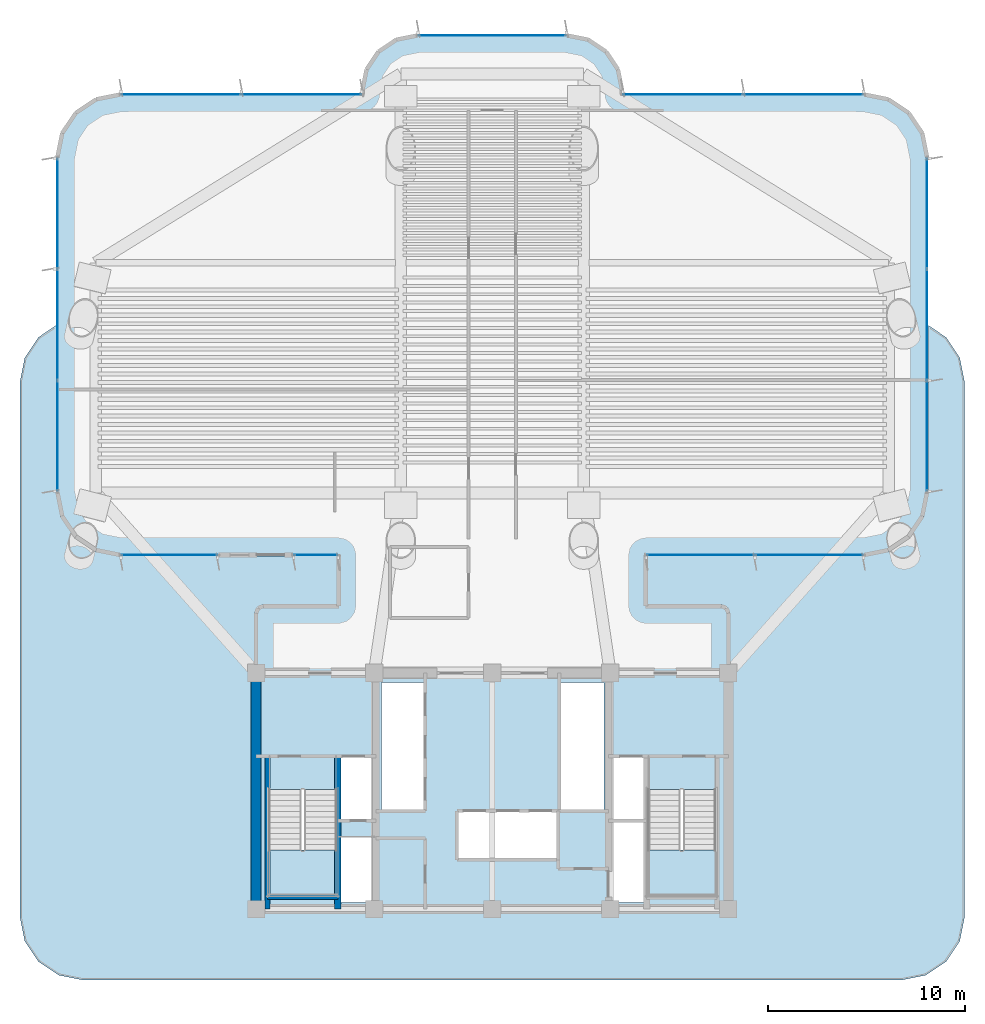
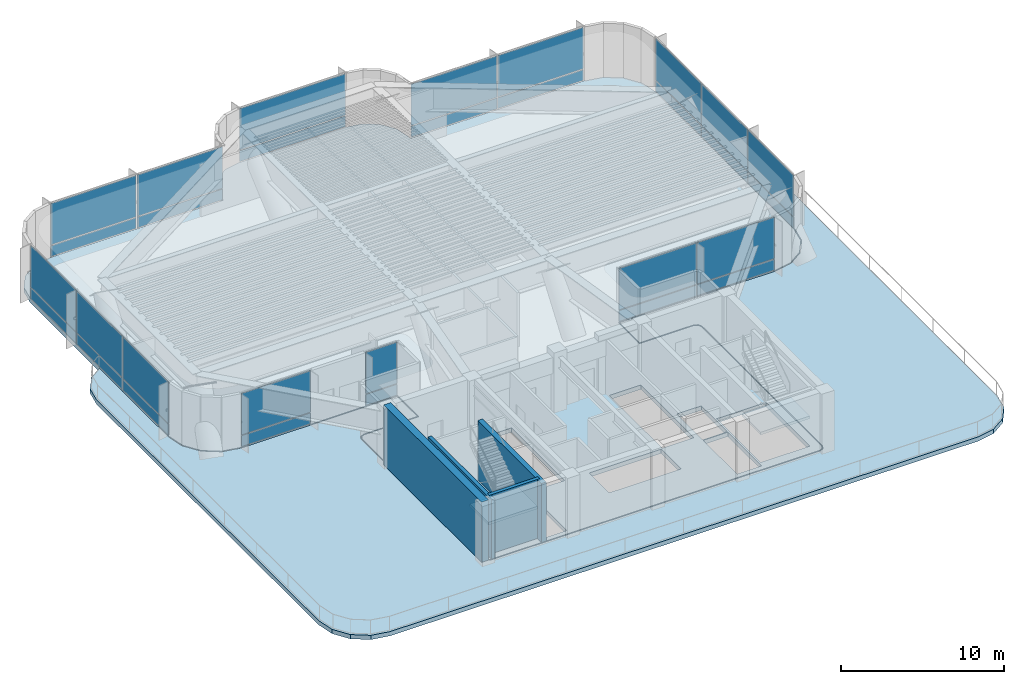
# One storey, part 7 of 14: 30 plates, 4 slabs, 4 walls, 10 elements without a shape of their own.
"""IFC4 building model written with IfcOpenShell, lengths in metres."""

from ifc_helpers import new_model, si_unit, direction, frame, frame_2d, origin, origin_2d, place, context, subcontext, project, spatial, polyline, rectangle, outline, extrude, source, transform, mapped, material, layer, layer_set, type_object, element, aggregate, save


model = new_model("IFC4")

# Units and contexts
model_context = context("Model", 3, precision=1e-05, world=origin(), true_north=direction((0.0, 1.0)))
body_context = subcontext(model_context, "Body", "Model", "MODEL_VIEW")
ifc_project = project(units=[si_unit("LENGTHUNIT", "METRE"), si_unit("AREAUNIT", "SQUARE_METRE"), si_unit("VOLUMEUNIT", "CUBIC_METRE"), si_unit("PLANEANGLEUNIT", "RADIAN"), si_unit("MASSUNIT", "GRAM", prefix="KILO")], contexts=[model_context])

# Site, building, storey
site_placement = place(None, origin())
site = spatial("IfcSite", under=ifc_project, at=site_placement, CompositionType="ELEMENT")
building_placement = place(site_placement, origin())
building = spatial("IfcBuilding", under=site, at=building_placement, Name="Brelvock Crest Care Tower", CompositionType="ELEMENT")
storey_placement = place(building_placement, frame((0.0, 0.0, 85.320068359375)))
storey = spatial("IfcBuildingStorey", under=building, at=storey_placement, Name="L21", CompositionType="ELEMENT", Elevation=85.320068359375)

# Slabs
ifc_material_1 = material(Name="Concrete N50 (50 MPa)", Category="concrete")
ifc_layer_1 = layer(ifc_material_1, 0.320068359375, Name="SLB-FL1")
ifc_layer_set_1 = layer_set([ifc_layer_1], Name="Concrete N50 (50 MPa)")
slab_type_1 = type_object("IfcSlabType", Name="SLB-FL1", PredefinedType="FLOOR", material=ifc_layer_set_1)
slab_1_placement = place(storey_placement, frame((0.0, 0.0, -0.320068359375)))
element("IfcSlab", 1, at=slab_1_placement, inside=storey, type_object=slab_type_1, Name="L21 Main Structural Slab", PredefinedType="FLOOR", context=body_context, shape_type="SweptSolid", body=[
    extrude(outline(polyline([(47.64990234375, 21.39990234375), (43.800048828125, 21.39990234375), (43.800048828125, 24.0), (54.89990234375, 24.0), (56.12451171875, 24.24365234375), (57.16259765625, 24.937255859375), (57.8564453125, 25.975341796875), (58.10009765625, 27.199951171875), (58.10009765625, 44.199951171875), (57.8564453125, 45.424560546875), (57.16259765625, 46.462646484375), (56.12451171875, 47.156494140625), (54.89990234375, 47.39990234375), (42.60009765625, 47.39990234375), (42.60009765625, 47.60009765625), (42.386962890625, 48.67138671875), (41.77978515625, 49.579833984375), (40.87158203125, 50.18701171875), (39.800048828125, 50.39990234375), (32.199951171875, 50.39990234375), (31.12841796875, 50.18701171875), (30.22021484375, 49.579833984375), (29.613037109375, 48.67138671875), (29.39990234375, 47.60009765625), (29.39990234375, 47.39990234375), (17.10009765625, 47.39990234375), (15.87548828125, 47.156494140625), (14.83740234375, 46.462646484375), (14.1435546875, 45.424560546875), (13.89990234375, 44.199951171875), (13.89990234375, 27.199951171875), (14.1435546875, 25.975341796875), (14.83740234375, 24.937255859375), (15.87548828125, 24.24365234375), (17.10009765625, 24.0), (28.199951171875, 24.0), (28.199951171875, 21.39990234375), (24.35009765625, 21.39990234375), (24.1025390625, 21.297607421875), (24.0, 21.050048828125), (24.0, 6.35009765625), (24.1025390625, 6.1025390625), (24.35009765625, 6.0), (47.64990234375, 6.0), (47.8974609375, 6.1025390625), (48.0, 6.35009765625), (48.0, 21.050048828125), (47.8974609375, 21.297607421875), (47.64990234375, 21.39990234375)]), holes=[polyline([(28.239990234375, 10.580078125), (29.97998046875, 10.580078125), (29.97998046875, 13.739990234375), (28.239990234375, 13.739990234375), (28.239990234375, 10.580078125)]), polyline([(42.02001953125, 10.580078125), (43.760009765625, 10.580078125), (43.760009765625, 13.739990234375), (42.02001953125, 13.739990234375), (42.02001953125, 10.580078125)]), polyline([(28.239990234375, 6.340087890625), (29.97998046875, 6.340087890625), (29.97998046875, 9.64990234375), (28.239990234375, 9.64990234375), (28.239990234375, 6.340087890625)]), polyline([(24.6298828125, 12.080078125), (24.6298828125, 6.699951171875), (28.110107421875, 6.699951171875), (28.110107421875, 12.080078125), (24.6298828125, 12.080078125)]), polyline([(43.889892578125, 12.080078125), (43.889892578125, 6.699951171875), (47.3701171875, 6.699951171875), (47.3701171875, 12.080078125), (43.889892578125, 12.080078125)]), polyline([(42.02001953125, 6.340087890625), (43.760009765625, 6.340087890625), (43.760009765625, 10.5), (42.02001953125, 10.5), (42.02001953125, 6.340087890625)]), polyline([(30.3798828125, 11.030029296875), (32.52001953125, 11.030029296875), (32.52001953125, 17.52001953125), (30.3798828125, 17.52001953125), (30.3798828125, 11.030029296875)]), polyline([(34.22998046875, 8.530029296875), (39.320068359375, 8.530029296875), (39.320068359375, 10.969970703125), (34.22998046875, 10.969970703125), (34.22998046875, 8.530029296875)]), polyline([(39.429931640625, 11.030029296875), (41.669921875, 11.030029296875), (41.669921875, 17.52001953125), (39.429931640625, 17.52001953125), (39.429931640625, 11.030029296875)])]), origin(), (0.0, 0.0, 1.0), 0.320068359375),
])
ifc_layer_2 = layer(ifc_material_1, 0.320068359375, Name="SLB-TD2")
ifc_layer_set_2 = layer_set([ifc_layer_2], Name="Concrete N50 (50 MPa)")
slab_type_2 = type_object("IfcSlabType", Name="SLB-TD2", PredefinedType="FLOOR", material=ifc_layer_set_2)
slab_2_placement = place(storey_placement, frame((0.0, 0.0, -0.320068359375)))
element("IfcSlab", 2, at=slab_2_placement, inside=storey, type_object=slab_type_2, Name="L21 Landscaped Setback Terrace 1", PredefinedType="FLOOR", context=body_context, shape_type="SweptSolid", body=[
    extrude(outline(polyline([(58.159912109375, 35.666015625), (58.15966796875, 27.194091796875), (57.911865234375, 25.952392578125), (57.196044921875, 24.887451171875), (56.147705078125, 24.188232421875), (54.906005859375, 23.940185546875), (43.860107421875, 23.93994140625), (43.860107421875, 21.4599609375), (47.656005859375, 21.459716796875), (47.93994140625, 21.33984375), (48.058837890625, 21.061767578125), (48.06005859375, 6.35009765625), (47.935546875, 6.05615234375), (47.64990234375, 5.93994140625), (24.35009765625, 5.93994140625), (24.06005859375, 6.06005859375), (23.93994140625, 6.35009765625), (23.941162109375, 21.061767578125), (24.06005859375, 21.33984375), (24.343994140625, 21.459716796875), (28.139892578125, 21.4599609375), (28.139892578125, 23.93994140625), (17.093994140625, 23.940185546875), (15.852294921875, 24.188232421875), (14.803955078125, 24.887451171875), (14.088134765625, 25.952392578125), (13.84033203125, 27.194091796875), (13.840087890625, 35.666015625), (12.937255859375, 35.062744140625), (12.24365234375, 34.024658203125), (12.0, 32.800048828125), (12.0, 5.60009765625), (12.24365234375, 4.37548828125), (12.937255859375, 3.33740234375), (13.975341796875, 2.6435546875), (15.199951171875, 2.39990234375), (56.800048828125, 2.39990234375), (58.024658203125, 2.6435546875), (59.062744140625, 3.33740234375), (59.75634765625, 4.37548828125), (60.0, 5.60009765625), (60.0, 32.800048828125), (59.75634765625, 34.024658203125), (59.062744140625, 35.062744140625), (58.159912109375, 35.666015625)])), origin(), (0.0, 0.0, 1.0), 0.320068359375),
])

# Stair, slab
ifc_material_2 = material(Name="Concrete N40 (40 MPa)", Category="concrete")
stair_type = type_object("IfcStairType", Name="ST-CORE1", PredefinedType="HALF_TURN_STAIR", material=ifc_material_2)
stair_1_placement = place(storey_placement, origin())
stair_1 = element("IfcStair", 3, at=stair_1_placement, inside=storey, type_object=stair_type, Name="L21 Fire-Isolated Core Stair ST-1", PredefinedType="HALF_TURN_STAIR")
ifc_layer_3 = layer(ifc_material_2, 0.199951171875, Name="STL-1")
ifc_layer_set_3 = layer_set([ifc_layer_3], Name="Concrete N40 (40 MPa)")
slab_type_3 = type_object("IfcSlabType", Name="STL-1", PredefinedType="LANDING", material=ifc_layer_set_3)
slab_3_placement = place(storey_placement, frame((0.0, 0.0, 2.050048828125)))
slab_3 = element("IfcSlab", 4, at=slab_3_placement, type_object=slab_type_3, Name="ST-1 landing 1", PredefinedType="LANDING", context=body_context, shape_type="SweptSolid", body=[
    extrude(outline(polyline([(24.6298828125, 9.0), (24.6298828125, 6.699951171875), (28.110107421875, 6.699951171875), (28.110107421875, 9.0), (24.6298828125, 9.0)])), origin(), (0.0, 0.0, 1.0), 0.199951171875),
])
aggregate(stair_1, [slab_3])

stair_2_placement = place(storey_placement, origin())
stair_2 = element("IfcStair", 5, at=stair_2_placement, inside=storey, type_object=stair_type, Name="L21 Fire-Isolated Core Stair ST-2", PredefinedType="HALF_TURN_STAIR")
slab_4_placement = place(storey_placement, frame((0.0, 0.0, 2.050048828125)))
slab_4 = element("IfcSlab", 6, at=slab_4_placement, type_object=slab_type_3, Name="ST-2 landing 1", PredefinedType="LANDING", context=body_context, shape_type="SweptSolid", body=[
    extrude(outline(polyline([(43.889892578125, 9.0), (43.889892578125, 6.699951171875), (47.3701171875, 6.699951171875), (47.3701171875, 9.0), (43.889892578125, 9.0)])), origin(), (0.0, 0.0, 1.0), 0.199951171875),
])
aggregate(stair_2, [slab_4])

# Curtain wall, plates
ifc_material_3 = material(Name="Dark Glass Double Glazed Low-E", Category="glass")
ifc_layer_4 = layer(ifc_material_3, 0.2548828125, Name="CWS-6")
ifc_layer_set_4 = layer_set([ifc_layer_4], Name="Dark Glass Double Glazed Low-E")
curtain_wall_type = type_object("IfcCurtainWallType", Name="CWS-6", PredefinedType="NOTDEFINED", material=ifc_layer_set_4)
curtain_wall_1_placement = place(storey_placement, origin())
curtain_wall_1 = element("IfcCurtainWall", 7, at=curtain_wall_1_placement, inside=storey, type_object=curtain_wall_type, Name="L21 Curtain Wall E12A", PredefinedType="NOTDEFINED")
ifc_material_4 = material(Name="Dark Glass Shadow-Box Spandrel", Category="glass")
ifc_layer_5 = layer(ifc_material_4, 0.048095703125, Name="CWP-SP1")
ifc_layer_set_5 = layer_set([ifc_layer_5], Name="Dark Glass Shadow-Box Spandrel")
plate_type_1 = type_object("IfcPlateType", Name="CWP-SP1", PredefinedType="SHEET", material=ifc_layer_set_5)
shared_shape_1 = source(origin(), body_context, "Body", "SweptSolid", [
    extrude(rectangle(XDim=2.18798828125, YDim=0.035888671875, at=origin_2d()), origin(), (0.0, 0.0, 1.0), 0.802490234375),
])
plate_1_placement = place(storey_placement, frame((27.041015625, 24.0, 0.06494140625), z_axis=(0.0, 0.0, 1.0), x_axis=(-1.0, 0.0, 0.0)))
plate_1 = element("IfcPlate", 8, at=plate_1_placement, type_object=plate_type_1, Name="CW-6 panel 1.1", PredefinedType="SHEET", context=body_context, shape_type="MappedRepresentation", body=[
    mapped(shared_shape_1, transform((0.0, 0.0, 0.0), x_axis=(1.0, 0.0, 0.0), y_axis=(0.0, 1.0, 0.0), z_axis=(0.0, 0.0, 1.0), scale=1.0)),
])
ifc_layer_6 = layer(ifc_material_3, 0.0380859375, Name="CWP-V2")
ifc_layer_set_6 = layer_set([ifc_layer_6], Name="Dark Glass Double Glazed Low-E")
plate_type_2 = type_object("IfcPlateType", Name="CWP-V2", PredefinedType="CURTAIN_PANEL", material=ifc_layer_set_6)
shared_shape_2 = source(origin(), body_context, "Body", "SweptSolid", [
    extrude(rectangle(XDim=2.18798828125, YDim=0.035888671875, at=origin_2d()), origin(), (0.0, 0.0, 1.0), 3.094482421875),
])
plate_2_placement = place(storey_placement, frame((27.041015625, 24.0, 0.9326171875), z_axis=(0.0, 0.0, 1.0), x_axis=(-1.0, 0.0, 0.0)))
plate_2 = element("IfcPlate", 9, at=plate_2_placement, type_object=plate_type_2, Name="CW-6 panel 1.2", PredefinedType="CURTAIN_PANEL", context=body_context, shape_type="MappedRepresentation", body=[
    mapped(shared_shape_2, transform((0.0, 0.0, 0.0), x_axis=(1.0, 0.0, 0.0), y_axis=(0.0, 1.0, 0.0), z_axis=(0.0, 0.0, 1.0), scale=1.0)),
])
aggregate(curtain_wall_1, [plate_1, plate_2])

curtain_wall_2_placement = place(storey_placement, origin())
curtain_wall_2 = element("IfcCurtainWall", 10, at=curtain_wall_2_placement, inside=storey, type_object=curtain_wall_type, Name="L21 Curtain Wall E12B", PredefinedType="NOTDEFINED")
shared_shape_3 = source(origin(), body_context, "Body", "SweptSolid", [
    extrude(rectangle(XDim=4.85205078125, YDim=0.035888671875, at=origin_2d()), origin(), (0.0, 0.0, 1.0), 0.802490234375),
])
plate_3_placement = place(storey_placement, frame((19.591064453125, 24.0, 0.06494140625), z_axis=(0.0, 0.0, 1.0), x_axis=(-1.0, 0.0, 0.0)))
plate_3 = element("IfcPlate", 11, at=plate_3_placement, type_object=plate_type_1, Name="CW-6 panel 1.1", PredefinedType="SHEET", context=body_context, shape_type="MappedRepresentation", body=[
    mapped(shared_shape_3, transform((0.0, 0.0, 0.0), x_axis=(1.0, 0.0, 0.0), y_axis=(0.0, 1.0, 0.0), z_axis=(0.0, 0.0, 1.0), scale=1.0)),
])
shared_shape_4 = source(origin(), body_context, "Body", "SweptSolid", [
    extrude(rectangle(XDim=4.85205078125, YDim=0.035888671875, at=origin_2d()), origin(), (0.0, 0.0, 1.0), 3.094482421875),
])
plate_4_placement = place(storey_placement, frame((19.591064453125, 24.0, 0.9326171875), z_axis=(0.0, 0.0, 1.0), x_axis=(-1.0, 0.0, 0.0)))
plate_4 = element("IfcPlate", 12, at=plate_4_placement, type_object=plate_type_2, Name="CW-6 panel 1.2", PredefinedType="CURTAIN_PANEL", context=body_context, shape_type="MappedRepresentation", body=[
    mapped(shared_shape_4, transform((0.0, 0.0, 0.0), x_axis=(1.0, 0.0, 0.0), y_axis=(0.0, 1.0, 0.0), z_axis=(0.0, 0.0, 1.0), scale=1.0)),
])
aggregate(curtain_wall_2, [plate_3, plate_4])

curtain_wall_3_placement = place(storey_placement, origin())
curtain_wall_3 = element("IfcCurtainWall", 13, at=curtain_wall_3_placement, inside=storey, type_object=curtain_wall_type, Name="L21 Curtain Wall E17", PredefinedType="NOTDEFINED")
shared_shape_5 = source(origin(), body_context, "Body", "SweptSolid", [
    extrude(rectangle(XDim=5.569091796875, YDim=0.035888671875, at=origin_2d()), origin(), (0.0, 0.0, 1.0), 0.802490234375),
])
plate_5_placement = place(storey_placement, frame((13.89990234375, 30.049560546875, 0.06494140625), z_axis=(0.0, 0.0, 1.0), x_axis=(0.0, 1.0, 0.0)))
plate_5 = element("IfcPlate", 14, at=plate_5_placement, type_object=plate_type_1, Name="CW-6 panel 1.1", PredefinedType="SHEET", context=body_context, shape_type="MappedRepresentation", body=[
    mapped(shared_shape_5, transform((0.0, 0.0, 0.0), x_axis=(1.0, 0.0, 0.0), y_axis=(0.0, 1.0, 0.0), z_axis=(0.0, 0.0, 1.0), scale=1.0)),
])
plate_6_placement = place(storey_placement, frame((13.89990234375, 41.350341796875, 0.06494140625), z_axis=(0.0, 0.0, 1.0), x_axis=(0.0, 1.0, 0.0)))
plate_6 = element("IfcPlate", 15, at=plate_6_placement, type_object=plate_type_1, Name="CW-6 panel 3.1", PredefinedType="SHEET", context=body_context, shape_type="MappedRepresentation", body=[
    mapped(shared_shape_5, transform((0.0, 0.0, 0.0), x_axis=(1.0, 0.0, 0.0), y_axis=(0.0, 1.0, 0.0), z_axis=(0.0, 0.0, 1.0), scale=1.0)),
])

curtain_wall_4_placement = place(storey_placement, origin())
curtain_wall_4 = element("IfcCurtainWall", 16, at=curtain_wall_4_placement, inside=storey, type_object=curtain_wall_type, Name="L21 Curtain Wall E39", PredefinedType="NOTDEFINED")
plate_7_placement = place(storey_placement, frame((58.10009765625, 41.350341796875, 0.06494140625), z_axis=(0.0, 0.0, 1.0), x_axis=(0.0, -1.0, 0.0)))
plate_7 = element("IfcPlate", 17, at=plate_7_placement, type_object=plate_type_1, Name="CW-6 panel 1.1", PredefinedType="SHEET", context=body_context, shape_type="MappedRepresentation", body=[
    mapped(shared_shape_5, transform((0.0, 0.0, 0.0), x_axis=(1.0, 0.0, 0.0), y_axis=(0.0, 1.0, 0.0), z_axis=(0.0, 0.0, 1.0), scale=1.0)),
])
plate_8_placement = place(storey_placement, frame((58.10009765625, 30.049560546875, 0.06494140625), z_axis=(0.0, 0.0, 1.0), x_axis=(0.0, -1.0, 0.0)))
plate_8 = element("IfcPlate", 18, at=plate_8_placement, type_object=plate_type_1, Name="CW-6 panel 3.1", PredefinedType="SHEET", context=body_context, shape_type="MappedRepresentation", body=[
    mapped(shared_shape_5, transform((0.0, 0.0, 0.0), x_axis=(1.0, 0.0, 0.0), y_axis=(0.0, 1.0, 0.0), z_axis=(0.0, 0.0, 1.0), scale=1.0)),
])

# Plate
shared_shape_6 = source(origin(), body_context, "Body", "SweptSolid", [
    extrude(rectangle(XDim=5.569091796875, YDim=0.035888671875, at=origin_2d()), origin(), (0.0, 0.0, 1.0), 3.094482421875),
])
plate_9_placement = place(storey_placement, frame((13.89990234375, 30.049560546875, 0.9326171875), z_axis=(0.0, 0.0, 1.0), x_axis=(0.0, 1.0, 0.0)))
plate_9 = element("IfcPlate", 19, at=plate_9_placement, type_object=plate_type_2, Name="CW-6 panel 1.2", PredefinedType="CURTAIN_PANEL", context=body_context, shape_type="MappedRepresentation", body=[
    mapped(shared_shape_6, transform((0.0, 0.0, 0.0), x_axis=(1.0, 0.0, 0.0), y_axis=(0.0, 1.0, 0.0), z_axis=(0.0, 0.0, 1.0), scale=1.0)),
])

plate_10_placement = place(storey_placement, frame((13.89990234375, 41.350341796875, 0.9326171875), z_axis=(0.0, 0.0, 1.0), x_axis=(0.0, 1.0, 0.0)))
plate_10 = element("IfcPlate", 20, at=plate_10_placement, type_object=plate_type_2, Name="CW-6 panel 3.2", PredefinedType="CURTAIN_PANEL", context=body_context, shape_type="MappedRepresentation", body=[
    mapped(shared_shape_6, transform((0.0, 0.0, 0.0), x_axis=(1.0, 0.0, 0.0), y_axis=(0.0, 1.0, 0.0), z_axis=(0.0, 0.0, 1.0), scale=1.0)),
])

plate_11_placement = place(storey_placement, frame((58.10009765625, 41.350341796875, 0.9326171875), z_axis=(0.0, 0.0, 1.0), x_axis=(0.0, -1.0, 0.0)))
plate_11 = element("IfcPlate", 21, at=plate_11_placement, type_object=plate_type_2, Name="CW-6 panel 1.2", PredefinedType="CURTAIN_PANEL", context=body_context, shape_type="MappedRepresentation", body=[
    mapped(shared_shape_6, transform((0.0, 0.0, 0.0), x_axis=(1.0, 0.0, 0.0), y_axis=(0.0, 1.0, 0.0), z_axis=(0.0, 0.0, 1.0), scale=1.0)),
])

plate_12_placement = place(storey_placement, frame((58.10009765625, 30.049560546875, 0.9326171875), z_axis=(0.0, 0.0, 1.0), x_axis=(0.0, -1.0, 0.0)))
plate_12 = element("IfcPlate", 22, at=plate_12_placement, type_object=plate_type_2, Name="CW-6 panel 3.2", PredefinedType="CURTAIN_PANEL", context=body_context, shape_type="MappedRepresentation", body=[
    mapped(shared_shape_6, transform((0.0, 0.0, 0.0), x_axis=(1.0, 0.0, 0.0), y_axis=(0.0, 1.0, 0.0), z_axis=(0.0, 0.0, 1.0), scale=1.0)),
])

shared_shape_7 = source(origin(), body_context, "Body", "SweptSolid", [
    extrude(rectangle(XDim=5.6015625, YDim=0.035888671875, at=origin_2d()), origin(), (0.0, 0.0, 1.0), 0.802490234375),
])
plate_13_placement = place(storey_placement, frame((13.89990234375, 35.699951171875, 0.06494140625), z_axis=(0.0, 0.0, 1.0), x_axis=(0.0, 1.0, 0.0)))
plate_13 = element("IfcPlate", 23, at=plate_13_placement, type_object=plate_type_1, Name="CW-6 panel 2.1", PredefinedType="SHEET", context=body_context, shape_type="MappedRepresentation", body=[
    mapped(shared_shape_7, transform((0.0, 0.0, 0.0), x_axis=(1.0, 0.0, 0.0), y_axis=(0.0, 1.0, 0.0), z_axis=(0.0, 0.0, 1.0), scale=1.0)),
])

plate_14_placement = place(storey_placement, frame((58.10009765625, 35.699951171875, 0.06494140625), z_axis=(0.0, 0.0, 1.0), x_axis=(0.0, -1.0, 0.0)))
plate_14 = element("IfcPlate", 24, at=plate_14_placement, type_object=plate_type_1, Name="CW-6 panel 2.1", PredefinedType="SHEET", context=body_context, shape_type="MappedRepresentation", body=[
    mapped(shared_shape_7, transform((0.0, 0.0, 0.0), x_axis=(1.0, 0.0, 0.0), y_axis=(0.0, 1.0, 0.0), z_axis=(0.0, 0.0, 1.0), scale=1.0)),
])

shared_shape_8 = source(origin(), body_context, "Body", "SweptSolid", [
    extrude(rectangle(XDim=5.6015625, YDim=0.035888671875, at=origin_2d()), origin(), (0.0, 0.0, 1.0), 3.094482421875),
])
plate_15_placement = place(storey_placement, frame((13.89990234375, 35.699951171875, 0.9326171875), z_axis=(0.0, 0.0, 1.0), x_axis=(0.0, 1.0, 0.0)))
plate_15 = element("IfcPlate", 25, at=plate_15_placement, type_object=plate_type_2, Name="CW-6 panel 2.2", PredefinedType="CURTAIN_PANEL", context=body_context, shape_type="MappedRepresentation", body=[
    mapped(shared_shape_8, transform((0.0, 0.0, 0.0), x_axis=(1.0, 0.0, 0.0), y_axis=(0.0, 1.0, 0.0), z_axis=(0.0, 0.0, 1.0), scale=1.0)),
])

aggregate(curtain_wall_3, [plate_5, plate_9, plate_13, plate_15, plate_6, plate_10])

plate_16_placement = place(storey_placement, frame((58.10009765625, 35.699951171875, 0.9326171875), z_axis=(0.0, 0.0, 1.0), x_axis=(0.0, -1.0, 0.0)))
plate_16 = element("IfcPlate", 26, at=plate_16_placement, type_object=plate_type_2, Name="CW-6 panel 2.2", PredefinedType="CURTAIN_PANEL", context=body_context, shape_type="MappedRepresentation", body=[
    mapped(shared_shape_8, transform((0.0, 0.0, 0.0), x_axis=(1.0, 0.0, 0.0), y_axis=(0.0, 1.0, 0.0), z_axis=(0.0, 0.0, 1.0), scale=1.0)),
])

aggregate(curtain_wall_4, [plate_7, plate_11, plate_14, plate_16, plate_8, plate_12])

# Curtain wall, plates
curtain_wall_5_placement = place(storey_placement, origin())
curtain_wall_5 = element("IfcCurtainWall", 27, at=curtain_wall_5_placement, inside=storey, type_object=curtain_wall_type, Name="L21 Curtain Wall E22", PredefinedType="NOTDEFINED")
shared_shape_9 = source(origin(), body_context, "Body", "SweptSolid", [
    extrude(rectangle(XDim=6.052490234375, YDim=0.035888671875, at=origin_2d()), origin(), (0.0, 0.0, 1.0), 0.802490234375),
])
plate_17_placement = place(storey_placement, frame((20.191162109375, 47.39990234375, 0.06494140625), z_axis=(0.0, 0.0, 1.0), x_axis=(1.0, 0.0, 0.0)))
plate_17 = element("IfcPlate", 28, at=plate_17_placement, type_object=plate_type_1, Name="CW-6 panel 1.1", PredefinedType="SHEET", context=body_context, shape_type="MappedRepresentation", body=[
    mapped(shared_shape_9, transform((0.0, 0.0, 0.0), x_axis=(1.0, 0.0, 0.0), y_axis=(0.0, 1.0, 0.0), z_axis=(0.0, 0.0, 1.0), scale=1.0)),
])
plate_18_placement = place(storey_placement, frame((26.308837890625, 47.39990234375, 0.06494140625), z_axis=(0.0, 0.0, 1.0), x_axis=(1.0, 0.0, 0.0)))
plate_18 = element("IfcPlate", 29, at=plate_18_placement, type_object=plate_type_1, Name="CW-6 panel 2.1", PredefinedType="SHEET", context=body_context, shape_type="MappedRepresentation", body=[
    mapped(shared_shape_9, transform((0.0, 0.0, 0.0), x_axis=(1.0, 0.0, 0.0), y_axis=(0.0, 1.0, 0.0), z_axis=(0.0, 0.0, 1.0), scale=1.0)),
])

curtain_wall_6_placement = place(storey_placement, origin())
curtain_wall_6 = element("IfcCurtainWall", 30, at=curtain_wall_6_placement, inside=storey, type_object=curtain_wall_type, Name="L21 Curtain Wall E34", PredefinedType="NOTDEFINED")
plate_19_placement = place(storey_placement, frame((45.691162109375, 47.39990234375, 0.06494140625), z_axis=(0.0, 0.0, 1.0), x_axis=(1.0, 0.0, 0.0)))
plate_19 = element("IfcPlate", 31, at=plate_19_placement, type_object=plate_type_1, Name="CW-6 panel 1.1", PredefinedType="SHEET", context=body_context, shape_type="MappedRepresentation", body=[
    mapped(shared_shape_9, transform((0.0, 0.0, 0.0), x_axis=(1.0, 0.0, 0.0), y_axis=(0.0, 1.0, 0.0), z_axis=(0.0, 0.0, 1.0), scale=1.0)),
])
plate_20_placement = place(storey_placement, frame((51.808837890625, 47.39990234375, 0.06494140625), z_axis=(0.0, 0.0, 1.0), x_axis=(1.0, 0.0, 0.0)))
plate_20 = element("IfcPlate", 32, at=plate_20_placement, type_object=plate_type_1, Name="CW-6 panel 2.1", PredefinedType="SHEET", context=body_context, shape_type="MappedRepresentation", body=[
    mapped(shared_shape_9, transform((0.0, 0.0, 0.0), x_axis=(1.0, 0.0, 0.0), y_axis=(0.0, 1.0, 0.0), z_axis=(0.0, 0.0, 1.0), scale=1.0)),
])

# Plate
shared_shape_10 = source(origin(), body_context, "Body", "SweptSolid", [
    extrude(rectangle(XDim=6.052490234375, YDim=0.035888671875, at=origin_2d()), origin(), (0.0, 0.0, 1.0), 3.094482421875),
])
plate_21_placement = place(storey_placement, frame((20.191162109375, 47.39990234375, 0.9326171875), z_axis=(0.0, 0.0, 1.0), x_axis=(1.0, 0.0, 0.0)))
plate_21 = element("IfcPlate", 33, at=plate_21_placement, type_object=plate_type_2, Name="CW-6 panel 1.2", PredefinedType="CURTAIN_PANEL", context=body_context, shape_type="MappedRepresentation", body=[
    mapped(shared_shape_10, transform((0.0, 0.0, 0.0), x_axis=(1.0, 0.0, 0.0), y_axis=(0.0, 1.0, 0.0), z_axis=(0.0, 0.0, 1.0), scale=1.0)),
])

plate_22_placement = place(storey_placement, frame((26.308837890625, 47.39990234375, 0.9326171875), z_axis=(0.0, 0.0, 1.0), x_axis=(1.0, 0.0, 0.0)))
plate_22 = element("IfcPlate", 34, at=plate_22_placement, type_object=plate_type_2, Name="CW-6 panel 2.2", PredefinedType="CURTAIN_PANEL", context=body_context, shape_type="MappedRepresentation", body=[
    mapped(shared_shape_10, transform((0.0, 0.0, 0.0), x_axis=(1.0, 0.0, 0.0), y_axis=(0.0, 1.0, 0.0), z_axis=(0.0, 0.0, 1.0), scale=1.0)),
])

aggregate(curtain_wall_5, [plate_17, plate_21, plate_18, plate_22])

plate_23_placement = place(storey_placement, frame((45.691162109375, 47.39990234375, 0.9326171875), z_axis=(0.0, 0.0, 1.0), x_axis=(1.0, 0.0, 0.0)))
plate_23 = element("IfcPlate", 35, at=plate_23_placement, type_object=plate_type_2, Name="CW-6 panel 1.2", PredefinedType="CURTAIN_PANEL", context=body_context, shape_type="MappedRepresentation", body=[
    mapped(shared_shape_10, transform((0.0, 0.0, 0.0), x_axis=(1.0, 0.0, 0.0), y_axis=(0.0, 1.0, 0.0), z_axis=(0.0, 0.0, 1.0), scale=1.0)),
])

plate_24_placement = place(storey_placement, frame((51.808837890625, 47.39990234375, 0.9326171875), z_axis=(0.0, 0.0, 1.0), x_axis=(1.0, 0.0, 0.0)))
plate_24 = element("IfcPlate", 36, at=plate_24_placement, type_object=plate_type_2, Name="CW-6 panel 2.2", PredefinedType="CURTAIN_PANEL", context=body_context, shape_type="MappedRepresentation", body=[
    mapped(shared_shape_10, transform((0.0, 0.0, 0.0), x_axis=(1.0, 0.0, 0.0), y_axis=(0.0, 1.0, 0.0), z_axis=(0.0, 0.0, 1.0), scale=1.0)),
])

aggregate(curtain_wall_6, [plate_19, plate_23, plate_20, plate_24])

# Curtain wall, plates
curtain_wall_7_placement = place(storey_placement, origin())
curtain_wall_7 = element("IfcCurtainWall", 37, at=curtain_wall_7_placement, inside=storey, type_object=curtain_wall_type, Name="L21 Curtain Wall E28", PredefinedType="NOTDEFINED")
shared_shape_11 = source(origin(), body_context, "Body", "SweptSolid", [
    extrude(rectangle(XDim=7.469970703125, YDim=0.035888671875, at=origin_2d()), origin(), (0.0, 0.0, 1.0), 0.802490234375),
])
plate_25_placement = place(storey_placement, frame((36.0, 50.39990234375, 0.06494140625), z_axis=(0.0, 0.0, 1.0), x_axis=(1.0, 0.0, 0.0)))
plate_25 = element("IfcPlate", 38, at=plate_25_placement, type_object=plate_type_1, Name="CW-6 panel 1.1", PredefinedType="SHEET", context=body_context, shape_type="MappedRepresentation", body=[
    mapped(shared_shape_11, transform((0.0, 0.0, 0.0), x_axis=(1.0, 0.0, 0.0), y_axis=(0.0, 1.0, 0.0), z_axis=(0.0, 0.0, 1.0), scale=1.0)),
])
shared_shape_12 = source(origin(), body_context, "Body", "SweptSolid", [
    extrude(rectangle(XDim=7.469970703125, YDim=0.035888671875, at=origin_2d()), origin(), (0.0, 0.0, 1.0), 3.094482421875),
])
plate_26_placement = place(storey_placement, frame((36.0, 50.39990234375, 0.9326171875), z_axis=(0.0, 0.0, 1.0), x_axis=(1.0, 0.0, 0.0)))
plate_26 = element("IfcPlate", 39, at=plate_26_placement, type_object=plate_type_2, Name="CW-6 panel 1.2", PredefinedType="CURTAIN_PANEL", context=body_context, shape_type="MappedRepresentation", body=[
    mapped(shared_shape_12, transform((0.0, 0.0, 0.0), x_axis=(1.0, 0.0, 0.0), y_axis=(0.0, 1.0, 0.0), z_axis=(0.0, 0.0, 1.0), scale=1.0)),
])
aggregate(curtain_wall_7, [plate_25, plate_26])

curtain_wall_8_placement = place(storey_placement, origin())
curtain_wall_8 = element("IfcCurtainWall", 40, at=curtain_wall_8_placement, inside=storey, type_object=curtain_wall_type, Name="L21 Curtain Wall E44", PredefinedType="NOTDEFINED")
shared_shape_13 = source(origin(), body_context, "Body", "SweptSolid", [
    extrude(rectangle(XDim=5.452392578125, YDim=0.035888671875, at=origin_2d()), origin(), (0.0, 0.0, 1.0), 0.802490234375),
])
plate_27_placement = place(storey_placement, frame((52.108642578125, 24.0, 0.06494140625), z_axis=(0.0, 0.0, 1.0), x_axis=(-1.0, 0.0, 0.0)))
plate_27 = element("IfcPlate", 41, at=plate_27_placement, type_object=plate_type_1, Name="CW-6 panel 1.1", PredefinedType="SHEET", context=body_context, shape_type="MappedRepresentation", body=[
    mapped(shared_shape_13, transform((0.0, 0.0, 0.0), x_axis=(1.0, 0.0, 0.0), y_axis=(0.0, 1.0, 0.0), z_axis=(0.0, 0.0, 1.0), scale=1.0)),
])
plate_28_placement = place(storey_placement, frame((46.59130859375, 24.0, 0.06494140625), z_axis=(0.0, 0.0, 1.0), x_axis=(-1.0, 0.0, 0.0)))
plate_28 = element("IfcPlate", 42, at=plate_28_placement, type_object=plate_type_1, Name="CW-6 panel 2.1", PredefinedType="SHEET", context=body_context, shape_type="MappedRepresentation", body=[
    mapped(shared_shape_13, transform((0.0, 0.0, 0.0), x_axis=(1.0, 0.0, 0.0), y_axis=(0.0, 1.0, 0.0), z_axis=(0.0, 0.0, 1.0), scale=1.0)),
])
shared_shape_14 = source(origin(), body_context, "Body", "SweptSolid", [
    extrude(rectangle(XDim=5.452392578125, YDim=0.035888671875, at=origin_2d()), origin(), (0.0, 0.0, 1.0), 3.094482421875),
])
plate_29_placement = place(storey_placement, frame((52.108642578125, 24.0, 0.9326171875), z_axis=(0.0, 0.0, 1.0), x_axis=(-1.0, 0.0, 0.0)))
plate_29 = element("IfcPlate", 43, at=plate_29_placement, type_object=plate_type_2, Name="CW-6 panel 1.2", PredefinedType="CURTAIN_PANEL", context=body_context, shape_type="MappedRepresentation", body=[
    mapped(shared_shape_14, transform((0.0, 0.0, 0.0), x_axis=(1.0, 0.0, 0.0), y_axis=(0.0, 1.0, 0.0), z_axis=(0.0, 0.0, 1.0), scale=1.0)),
])
plate_30_placement = place(storey_placement, frame((46.59130859375, 24.0, 0.9326171875), z_axis=(0.0, 0.0, 1.0), x_axis=(-1.0, 0.0, 0.0)))
plate_30 = element("IfcPlate", 44, at=plate_30_placement, type_object=plate_type_2, Name="CW-6 panel 2.2", PredefinedType="CURTAIN_PANEL", context=body_context, shape_type="MappedRepresentation", body=[
    mapped(shared_shape_14, transform((0.0, 0.0, 0.0), x_axis=(1.0, 0.0, 0.0), y_axis=(0.0, 1.0, 0.0), z_axis=(0.0, 0.0, 1.0), scale=1.0)),
])
aggregate(curtain_wall_8, [plate_27, plate_29, plate_28, plate_30])

# Walls
ifc_material_5 = material(Name="Concrete S80 (80 MPa)", Category="concrete")
ifc_layer_7 = layer(ifc_material_5, 0.5, Name="WL-CS2")
ifc_layer_set_7 = layer_set([ifc_layer_7], Name="Concrete S80 (80 MPa)")
wall_type_1 = type_object("IfcWallType", Name="WL-CS2", PredefinedType="SHEAR", material=ifc_layer_set_7)
wall_1_placement = place(storey_placement, frame((24.0, 6.0, 0.0), z_axis=(0.0, 0.0, 1.0), x_axis=(0.0, 1.0, 0.0)))
element("IfcWall", 45, at=wall_1_placement, inside=storey, type_object=wall_type_1, Name="L21 Core West Shear Wall", PredefinedType="SHEAR", context=body_context, shape_type="SweptSolid", body=[
    extrude(rectangle(XDim=12.0, YDim=0.5, at=frame_2d((6.0, 0.0))), origin(), (0.0, 0.0, 1.0), 4.5),
])
ifc_layer_8 = layer(ifc_material_5, 0.35009765625, Name="WL-CS5")
ifc_layer_set_8 = layer_set([ifc_layer_8], Name="Concrete S80 (80 MPa)")
wall_type_2 = type_object("IfcWallType", Name="WL-CS5", PredefinedType="SHEAR", material=ifc_layer_set_8)
wall_2_placement = place(storey_placement, frame((28.14990234375, 6.0, 0.0), z_axis=(0.0, 0.0, 1.0), x_axis=(0.0, 1.0, 0.0)))
element("IfcWall", 46, at=wall_2_placement, inside=storey, type_object=wall_type_2, Name="L21 Core Stair ST-1 East Shear Wall", PredefinedType="SHEAR", context=body_context, shape_type="SweptSolid", body=[
    extrude(rectangle(XDim=7.780029296875, YDim=0.35009765625, at=frame_2d((3.89013671875, 0.0))), origin(), (0.0, 0.0, 1.0), 4.411865234375),
])
ifc_layer_9 = layer(ifc_material_5, 0.25, Name="WL-CS6")
ifc_layer_set_9 = layer_set([ifc_layer_9], Name="Concrete S80 (80 MPa)")
wall_type_3 = type_object("IfcWallType", Name="WL-CS6", PredefinedType="SHEAR", material=ifc_layer_set_9)
wall_3_placement = place(storey_placement, frame((24.580078125, 6.0, 0.0), z_axis=(0.0, 0.0, 1.0), x_axis=(0.0, 1.0, 0.0)))
element("IfcWall", 47, at=wall_3_placement, inside=storey, type_object=wall_type_3, Name="L21 Core Stair ST-1 West Shear Wall", PredefinedType="SHEAR", context=body_context, shape_type="SweptSolid", body=[
    extrude(rectangle(XDim=7.780029296875, YDim=0.25, at=frame_2d((3.89013671875, 0.0))), origin(), (0.0, 0.0, 1.0), 4.411865234375),
])
wall_4_placement = place(storey_placement, frame((24.580078125, 6.6201171875, 0.0), z_axis=(0.0, 0.0, 1.0), x_axis=(1.0, 0.0, 0.0)))
element("IfcWall", 48, at=wall_4_placement, inside=storey, type_object=wall_type_3, Name="L21 Core Stair ST-1 South Shear Wall", PredefinedType="SHEAR", context=body_context, shape_type="SweptSolid", body=[
    extrude(rectangle(XDim=3.56982421875, YDim=0.25, at=frame_2d((1.784912109375, 0.0))), origin(), (0.0, 0.0, 1.0), 4.411865234375),
])

save(model, "model.ifc")
